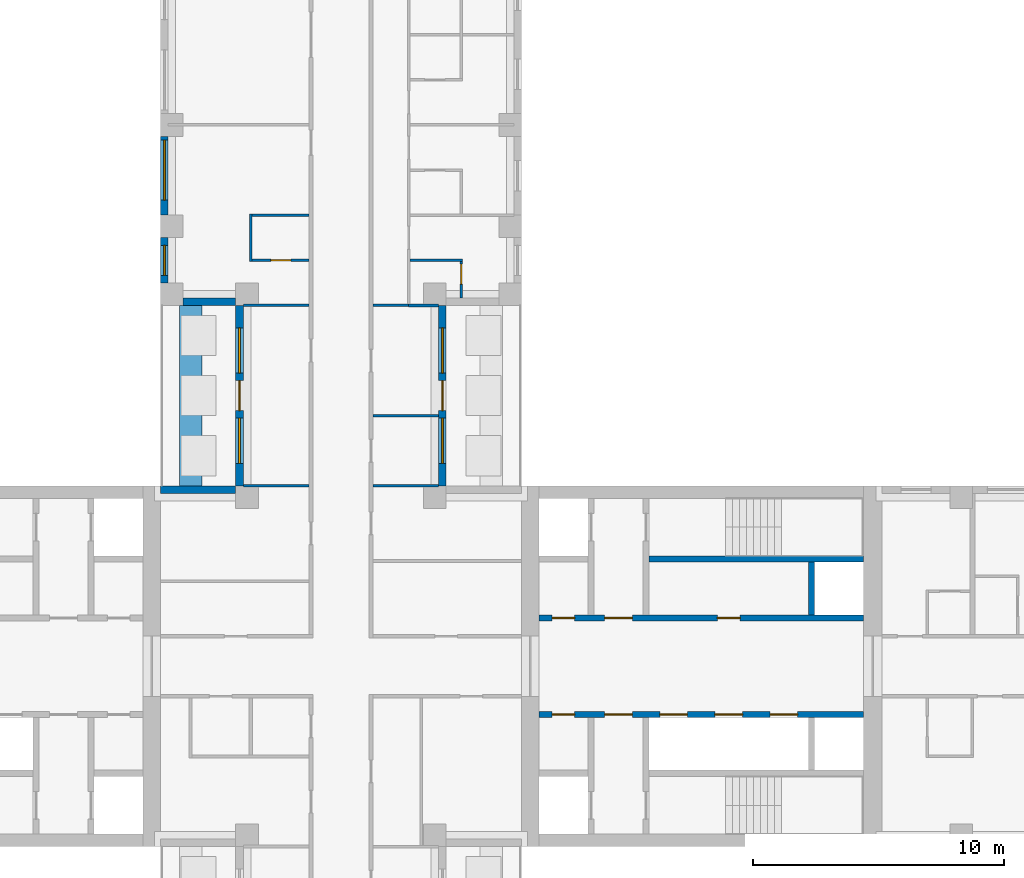
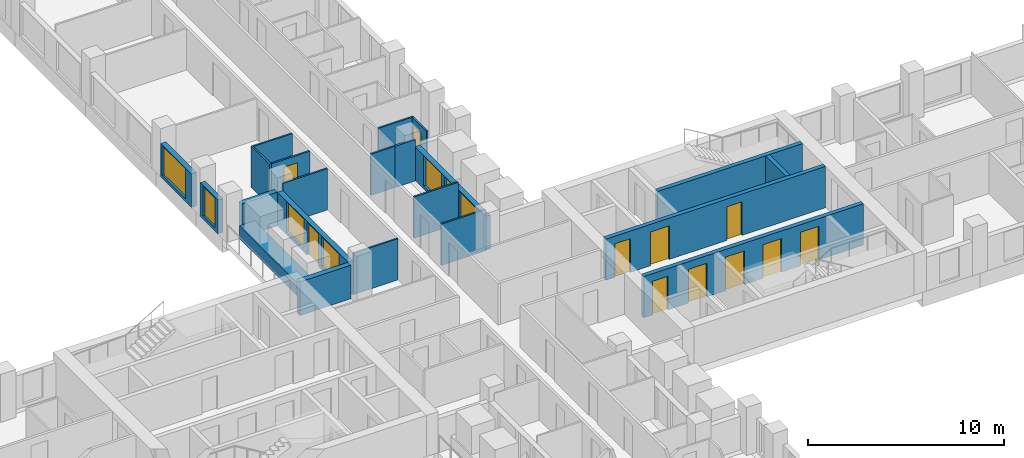
# One storey, part 8 of 15: 22 walls, 12 doors, 6 windows, 18 openings.
"""IFC4 building model written with IfcOpenShell, lengths in metres."""

from ifc_helpers import new_model, si_unit, direction, frame, frame_2d, origin, place, context, subcontext, project, spatial, rectangle, extrude, material, layer, layer_set, type_object, element, fill, save


model = new_model("IFC4")

# Units and contexts
model_context = context("Model", 3, precision=1e-05, world=origin(), true_north=direction((0.0, 1.0)))
body_context = subcontext(model_context, "Body", "Model", "MODEL_VIEW")
ifc_project = project(units=[si_unit("LENGTHUNIT", "METRE"), si_unit("AREAUNIT", "SQUARE_METRE"), si_unit("VOLUMEUNIT", "CUBIC_METRE"), si_unit("PLANEANGLEUNIT", "RADIAN"), si_unit("MASSUNIT", "GRAM", prefix="KILO")], contexts=[model_context])

# Site, building, storey
site_placement = place(None, origin())
site = spatial("IfcSite", under=ifc_project, at=site_placement, CompositionType="ELEMENT")
building_placement = place(site_placement, origin())
building = spatial("IfcBuilding", under=site, at=building_placement, Name="Fustian Cross Tower", CompositionType="ELEMENT")
storey_placement = place(building_placement, frame((0.0, 0.0, 38.699951171875)))
storey = spatial("IfcBuildingStorey", under=building, at=storey_placement, Name="L11", CompositionType="ELEMENT", Elevation=38.699951171875)

# Wall, openings, doors
ifc_material_1 = material(Name="Concrete C50/60", Category="concrete")
ifc_layer_1 = layer(ifc_material_1, 0.25)
ifc_layer_set_1 = layer_set([ifc_layer_1], Name="Concrete C50/60")
wall_type_1 = type_object("IfcWallType", Name="CORE LOBBY WALL 250 C50/60", PredefinedType="SHEAR", material=ifc_layer_set_1)
wall_1_placement = place(storey_placement, frame((7.89990234375, 1.925048828125, 0.0), z_axis=(0.0, 0.0, 1.0), x_axis=(1.0, 0.0, 0.0)))
wall_1 = element("IfcWall", 1, at=wall_1_placement, inside=storey, type_object=wall_type_1, Name="Core lobby wall", PredefinedType="SHEAR", context=body_context, shape_type="SweptSolid", body=[
    extrude(rectangle(XDim=12.9501953125, YDim=0.25, at=frame_2d((6.47509765625, 0.0))), origin(), (0.0, 0.0, 1.0), 2.574951171875),
])
opening_1_placement = place(wall_1_placement, frame((0.52490234375, 0.0, 0.0)))
opening_1 = element("IfcOpeningElement", 2, at=opening_1_placement, cuts=wall_1, Name="Opening CD-04-08", PredefinedType="OPENING", context=body_context, shape_type="SweptSolid", body=[
    extrude(rectangle(XDim=0.89990234375, YDim=2.10009765625, at=frame_2d((0.449951171875, 1.050048828125))), frame((0.0, 0.135009765625, 0.0), z_axis=(0.0, -1.0, 0.0), x_axis=(1.0, 0.0, 0.0)), (0.0, 0.0, 1.0), 0.27001953125),
])
opening_2_placement = place(wall_1_placement, frame((2.625, 0.0, 0.0)))
opening_2 = element("IfcOpeningElement", 3, at=opening_2_placement, cuts=wall_1, Name="Opening CD-04-10", PredefinedType="OPENING", context=body_context, shape_type="SweptSolid", body=[
    extrude(rectangle(XDim=1.10009765625, YDim=2.10009765625, at=frame_2d((0.550048828125, 1.050048828125))), frame((0.0, 0.135009765625, 0.0), z_axis=(0.0, -1.0, 0.0), x_axis=(1.0, 0.0, 0.0)), (0.0, 0.0, 1.0), 0.27001953125),
])
opening_3_placement = place(wall_1_placement, frame((7.125, 0.0, 0.0)))
opening_3 = element("IfcOpeningElement", 4, at=opening_3_placement, cuts=wall_1, Name="Opening CD-04-14", PredefinedType="OPENING", context=body_context, shape_type="SweptSolid", body=[
    extrude(rectangle(XDim=0.89990234375, YDim=2.10009765625, at=frame_2d((0.449951171875, 1.050048828125))), frame((0.0, 0.135009765625, 0.0), z_axis=(0.0, -1.0, 0.0), x_axis=(1.0, 0.0, 0.0)), (0.0, 0.0, 1.0), 0.27001953125),
])
ifc_material_2 = material(Name="Steel", Category="steel")
door_type_1 = type_object("IfcDoorType", Name="FIRE DOOR FD30S 900X2100", OperationType="SINGLE_SWING_LEFT", PredefinedType="DOOR", material=ifc_material_2)
door_1_placement = place(opening_3_placement, origin())
door_1 = element("IfcDoor", 5, at=door_1_placement, inside=storey, type_object=door_type_1, Name="Core door CD-04-14", OperationType="SINGLE_SWING_LEFT", OverallHeight=2.10009765625, OverallWidth=0.89990234375, PredefinedType="DOOR", context=body_context, shape_type="SweptSolid", body=[
    extrude(rectangle(XDim=0.89990234375, YDim=2.10009765625, at=frame_2d((0.449951171875, 1.050048828125))), frame((0.0, 0.02490234375, 0.0), z_axis=(0.0, -1.0, 0.0), x_axis=(1.0, 0.0, 0.0)), (0.0, 0.0, 1.0), 0.050048828125),
])
fill(opening_3, door_1)
ifc_material_3 = material(Name="Steel", Category="steel")
door_type_2 = type_object("IfcDoorType", Name="FIRE DOOR FD60S 1100X2100", OperationType="SINGLE_SWING_LEFT", PredefinedType="DOOR", material=ifc_material_3)
door_2_placement = place(opening_2_placement, frame((1.10009765625, 0.0, 0.0), z_axis=(0.0, 0.0, 1.0), x_axis=(-1.0, 0.0, 0.0)))
door_2 = element("IfcDoor", 6, at=door_2_placement, inside=storey, type_object=door_type_2, Name="Core door CD-04-10", OperationType="SINGLE_SWING_RIGHT", OverallHeight=2.10009765625, OverallWidth=1.10009765625, PredefinedType="DOOR", context=body_context, shape_type="SweptSolid", body=[
    extrude(rectangle(XDim=1.10009765625, YDim=2.10009765625, at=frame_2d((0.550048828125, 1.050048828125))), frame((0.0, 0.02490234375, 0.0), z_axis=(0.0, -1.0, 0.0), x_axis=(1.0, 0.0, 0.0)), (0.0, 0.0, 1.0), 0.050048828125),
])
fill(opening_2, door_2)
ifc_material_4 = material(Name="Steel", Category="steel")
door_type_3 = type_object("IfcDoorType", Name="FIRE DOOR FD60S 900X2100", OperationType="SINGLE_SWING_LEFT", PredefinedType="DOOR", material=ifc_material_4)
door_3_placement = place(opening_1_placement, origin())
door_3 = element("IfcDoor", 7, at=door_3_placement, inside=storey, type_object=door_type_3, Name="Core door CD-04-08", OperationType="SINGLE_SWING_LEFT", OverallHeight=2.10009765625, OverallWidth=0.89990234375, PredefinedType="DOOR", context=body_context, shape_type="SweptSolid", body=[
    extrude(rectangle(XDim=0.89990234375, YDim=2.10009765625, at=frame_2d((0.449951171875, 1.050048828125))), frame((0.0, 0.02490234375, 0.0), z_axis=(0.0, -1.0, 0.0), x_axis=(1.0, 0.0, 0.0)), (0.0, 0.0, 1.0), 0.050048828125),
])
fill(opening_1, door_3)

wall_2_placement = place(storey_placement, frame((7.89990234375, -1.925048828125, 0.0), z_axis=(0.0, 0.0, 1.0), x_axis=(1.0, 0.0, 0.0)))
wall_2 = element("IfcWall", 8, at=wall_2_placement, inside=storey, type_object=wall_type_1, Name="Core lobby wall", PredefinedType="SHEAR", context=body_context, shape_type="SweptSolid", body=[
    extrude(rectangle(XDim=12.9501953125, YDim=0.25, at=frame_2d((6.47509765625, 0.0))), origin(), (0.0, 0.0, 1.0), 2.574951171875),
])
opening_4_placement = place(wall_2_placement, frame((4.824951171875, 0.0, 0.0)))
opening_4 = element("IfcOpeningElement", 9, at=opening_4_placement, cuts=wall_2, Name="Opening LD", PredefinedType="OPENING", context=body_context, shape_type="SweptSolid", body=[
    extrude(rectangle(XDim=1.10009765625, YDim=2.10009765625, at=frame_2d((0.550048828125, 1.050048828125))), frame((0.0, 0.135009765625, 0.0), z_axis=(0.0, -1.0, 0.0), x_axis=(1.0, 0.0, 0.0)), (0.0, 0.0, 1.0), 0.27001953125),
])
opening_5_placement = place(wall_2_placement, frame((7.02490234375, 0.0, 0.0)))
opening_5 = element("IfcOpeningElement", 10, at=opening_5_placement, cuts=wall_2, Name="Opening LD", PredefinedType="OPENING", context=body_context, shape_type="SweptSolid", body=[
    extrude(rectangle(XDim=1.10009765625, YDim=2.10009765625, at=frame_2d((0.550048828125, 1.050048828125))), frame((0.0, 0.135009765625, 0.0), z_axis=(0.0, -1.0, 0.0), x_axis=(1.0, 0.0, 0.0)), (0.0, 0.0, 1.0), 0.27001953125),
])
opening_6_placement = place(wall_2_placement, frame((9.22509765625, 0.0, 0.0)))
opening_6 = element("IfcOpeningElement", 11, at=opening_6_placement, cuts=wall_2, Name="Opening LD", PredefinedType="OPENING", context=body_context, shape_type="SweptSolid", body=[
    extrude(rectangle(XDim=1.10009765625, YDim=2.10009765625, at=frame_2d((0.550048828125, 1.050048828125))), frame((0.0, 0.135009765625, 0.0), z_axis=(0.0, -1.0, 0.0), x_axis=(1.0, 0.0, 0.0)), (0.0, 0.0, 1.0), 0.27001953125),
])
opening_7_placement = place(wall_2_placement, frame((0.52490234375, 0.0, 0.0)))
opening_7 = element("IfcOpeningElement", 12, at=opening_7_placement, cuts=wall_2, Name="Opening CD-04-09", PredefinedType="OPENING", context=body_context, shape_type="SweptSolid", body=[
    extrude(rectangle(XDim=0.89990234375, YDim=2.10009765625, at=frame_2d((0.449951171875, 1.050048828125))), frame((0.0, 0.135009765625, 0.0), z_axis=(0.0, -1.0, 0.0), x_axis=(1.0, 0.0, 0.0)), (0.0, 0.0, 1.0), 0.27001953125),
])
opening_8_placement = place(wall_2_placement, frame((2.625, 0.0, 0.0)))
opening_8 = element("IfcOpeningElement", 13, at=opening_8_placement, cuts=wall_2, Name="Opening CD-04-11", PredefinedType="OPENING", context=body_context, shape_type="SweptSolid", body=[
    extrude(rectangle(XDim=1.10009765625, YDim=2.10009765625, at=frame_2d((0.550048828125, 1.050048828125))), frame((0.0, 0.135009765625, 0.0), z_axis=(0.0, -1.0, 0.0), x_axis=(1.0, 0.0, 0.0)), (0.0, 0.0, 1.0), 0.27001953125),
])
ifc_material_5 = material(Name="Steel", Category="steel")
door_type_4 = type_object("IfcDoorType", Name="FIRE DOOR FD30S 1100X2100", OperationType="SINGLE_SWING_LEFT", PredefinedType="DOOR", material=ifc_material_5)
door_4_placement = place(opening_8_placement, frame((1.10009765625, 0.0, 0.0), z_axis=(0.0, 0.0, 1.0), x_axis=(-1.0, 0.0, 0.0)))
door_4 = element("IfcDoor", 14, at=door_4_placement, inside=storey, type_object=door_type_4, Name="Core door CD-04-11", OperationType="SINGLE_SWING_RIGHT", OverallHeight=2.10009765625, OverallWidth=1.10009765625, PredefinedType="DOOR", context=body_context, shape_type="SweptSolid", body=[
    extrude(rectangle(XDim=1.10009765625, YDim=2.10009765625, at=frame_2d((0.550048828125, 1.050048828125))), frame((0.0, 0.02490234375, 0.0), z_axis=(0.0, -1.0, 0.0), x_axis=(1.0, 0.0, 0.0)), (0.0, 0.0, 1.0), 0.050048828125),
])
fill(opening_8, door_4)
door_5_placement = place(opening_7_placement, frame((0.89990234375, 0.0, 0.0), z_axis=(0.0, 0.0, 1.0), x_axis=(-1.0, 0.0, 0.0)))
door_5 = element("IfcDoor", 15, at=door_5_placement, inside=storey, type_object=door_type_1, Name="Core door CD-04-09", OperationType="SINGLE_SWING_RIGHT", OverallHeight=2.10009765625, OverallWidth=0.89990234375, PredefinedType="DOOR", context=body_context, shape_type="SweptSolid", body=[
    extrude(rectangle(XDim=0.89990234375, YDim=2.10009765625, at=frame_2d((0.449951171875, 1.050048828125))), frame((0.0, 0.02490234375, 0.0), z_axis=(0.0, -1.0, 0.0), x_axis=(1.0, 0.0, 0.0)), (0.0, 0.0, 1.0), 0.050048828125),
])
fill(opening_7, door_5)
ifc_material_6 = material(Name="Stainless steel", Category="steel")
door_type_5 = type_object("IfcDoorType", Name="LIFT LANDING DOOR 1100X2100", OperationType="SLIDING_TO_LEFT", PredefinedType="DOOR", material=ifc_material_6)
door_6_placement = place(opening_4_placement, origin())
door_6 = element("IfcDoor", 16, at=door_6_placement, inside=storey, type_object=door_type_5, Name="Landing door LR1", OperationType="SLIDING_TO_LEFT", OverallHeight=2.10009765625, OverallWidth=1.10009765625, PredefinedType="DOOR", context=body_context, shape_type="SweptSolid", body=[
    extrude(rectangle(XDim=1.10009765625, YDim=2.10009765625, at=frame_2d((0.550048828125, 1.050048828125))), frame((0.0, 0.02490234375, 0.0), z_axis=(0.0, -1.0, 0.0), x_axis=(1.0, 0.0, 0.0)), (0.0, 0.0, 1.0), 0.050048828125),
])
fill(opening_4, door_6)
door_7_placement = place(opening_5_placement, origin())
door_7 = element("IfcDoor", 17, at=door_7_placement, inside=storey, type_object=door_type_5, Name="Landing door LR2", OperationType="SLIDING_TO_LEFT", OverallHeight=2.10009765625, OverallWidth=1.10009765625, PredefinedType="DOOR", context=body_context, shape_type="SweptSolid", body=[
    extrude(rectangle(XDim=1.10009765625, YDim=2.10009765625, at=frame_2d((0.550048828125, 1.050048828125))), frame((0.0, 0.02490234375, 0.0), z_axis=(0.0, -1.0, 0.0), x_axis=(1.0, 0.0, 0.0)), (0.0, 0.0, 1.0), 0.050048828125),
])
fill(opening_5, door_7)
door_8_placement = place(opening_6_placement, origin())
door_8 = element("IfcDoor", 18, at=door_8_placement, inside=storey, type_object=door_type_5, Name="Landing door LR3", OperationType="SLIDING_TO_LEFT", OverallHeight=2.10009765625, OverallWidth=1.10009765625, PredefinedType="DOOR", context=body_context, shape_type="SweptSolid", body=[
    extrude(rectangle(XDim=1.10009765625, YDim=2.10009765625, at=frame_2d((0.550048828125, 1.050048828125))), frame((0.0, 0.02490234375, 0.0), z_axis=(0.0, -1.0, 0.0), x_axis=(1.0, 0.0, 0.0)), (0.0, 0.0, 1.0), 0.050048828125),
])
fill(opening_6, door_8)

# Walls
ifc_material_7 = material(Name="Concrete C50/60", Category="concrete")
ifc_layer_2 = layer(ifc_material_7, 0.25)
ifc_layer_set_2 = layer_set([ifc_layer_2], Name="Concrete C50/60")
wall_type_2 = type_object("IfcWallType", Name="CORE SHAFT WALL 250 C50/60", PredefinedType="SHEAR", material=ifc_layer_set_2)
wall_3_placement = place(storey_placement, frame((12.300048828125, 4.27490234375, 0.0), z_axis=(0.0, 0.0, 1.0), x_axis=(1.0, 0.0, 0.0)))
element("IfcWall", 19, at=wall_3_placement, inside=storey, type_object=wall_type_2, Name="Core shaft wall", PredefinedType="SHEAR", context=body_context, shape_type="SweptSolid", body=[
    extrude(rectangle(XDim=8.550048828125, YDim=0.25, at=frame_2d((4.27490234375, 0.0))), origin(), (0.0, 0.0, 1.0), 2.574951171875),
])
ifc_material_8 = material(Name="Plasterboard on steel stud", Category="steel")
ifc_layer_3 = layer(ifc_material_8, 0.10009765625)
ifc_layer_set_3 = layer_set([ifc_layer_3], Name="Plasterboard on steel stud")
wall_type_3 = type_object("IfcWallType", Name="PARTITION 100 STUD", PredefinedType="PARTITIONING", material=ifc_layer_set_3)
for number, where, z_axis, x_axis, name in (
    (20, (-3.89990234375, 7.199951171875, 0.0), (0.0, 0.0, 1.0), (1.0, 0.0, 0.0), "Partition 27"),
    (21, (-3.89990234375, 14.39990234375, 0.0), (0.0, 0.0, 1.0), (1.0, 0.0, 0.0), "Partition 28"),
):
    element("IfcWall", number, at=place(storey_placement, frame(where, z_axis=z_axis, x_axis=x_axis)), inside=storey, type_object=wall_type_3, Name=name, PredefinedType="PARTITIONING", context=body_context, shape_type="SweptSolid", body=[
        extrude(rectangle(XDim=2.625, YDim=0.10009765625, at=frame_2d((1.3125, 0.0))), origin(), (0.0, 0.0, 1.0), 2.574951171875),
    ])
wall_4_placement = place(storey_placement, frame((-3.60009765625, 16.14990234375, 0.0), z_axis=(0.0, 0.0, 1.0), x_axis=(0.0, 1.0, 0.0)))
element("IfcWall", 22, at=wall_4_placement, inside=storey, type_object=wall_type_3, Name="Partition 33", PredefinedType="PARTITIONING", context=body_context, shape_type="SweptSolid", body=[
    extrude(rectangle(XDim=1.900146484375, YDim=0.10009765625, at=frame_2d((0.9501953125, 0.0))), origin(), (0.0, 0.0, 1.0), 2.574951171875),
])

# Wall, opening, door
wall_5_placement = place(storey_placement, frame((-3.550048828125, 16.199951171875, 0.0), z_axis=(0.0, 0.0, 1.0), x_axis=(1.0, 0.0, 0.0)))
wall_5 = element("IfcWall", 23, at=wall_5_placement, inside=storey, type_object=wall_type_3, Name="Partition 34", PredefinedType="PARTITIONING", context=body_context, shape_type="SweptSolid", body=[
    extrude(rectangle(XDim=2.275146484375, YDim=0.10009765625, at=frame_2d((1.1376953125, 0.0))), origin(), (0.0, 0.0, 1.0), 2.574951171875),
])
opening_9_placement = place(wall_5_placement, frame((0.75, 0.0, 0.0)))
opening_9 = element("IfcOpeningElement", 24, at=opening_9_placement, cuts=wall_5, Name="Opening D07021", PredefinedType="OPENING", context=body_context, shape_type="SweptSolid", body=[
    extrude(rectangle(XDim=0.800048828125, YDim=2.10009765625, at=frame_2d((0.39990234375, 1.050048828125))), frame((0.0, 0.06005859375, 0.0), z_axis=(0.0, -1.0, 0.0), x_axis=(1.0, 0.0, 0.0)), (0.0, 0.0, 1.0), 0.1201171875),
])
ifc_material_9 = material(Name="Painted timber", Category="wood")
door_type_6 = type_object("IfcDoorType", Name="SWING DOOR 800", OperationType="SINGLE_SWING_LEFT", PredefinedType="DOOR", material=ifc_material_9)
door_9_placement = place(opening_9_placement, origin())
door_9 = element("IfcDoor", 25, at=door_9_placement, inside=storey, type_object=door_type_6, Name="Door D07021", OperationType="SINGLE_SWING_LEFT", OverallHeight=2.10009765625, OverallWidth=0.800048828125, PredefinedType="DOOR", context=body_context, shape_type="SweptSolid", body=[
    extrude(rectangle(XDim=0.800048828125, YDim=2.10009765625, at=frame_2d((0.39990234375, 1.050048828125))), frame((0.0, 0.02490234375, 0.0), z_axis=(0.0, -1.0, 0.0), x_axis=(1.0, 0.0, 0.0)), (0.0, 0.0, 1.0), 0.050048828125),
])
fill(opening_9, door_9)

# Walls
wall_6_placement = place(storey_placement, frame((-3.550048828125, 18.0, 0.0), z_axis=(0.0, 0.0, 1.0), x_axis=(1.0, 0.0, 0.0)))
element("IfcWall", 26, at=wall_6_placement, inside=storey, type_object=wall_type_3, Name="Partition 35", PredefinedType="PARTITIONING", context=body_context, shape_type="SweptSolid", body=[
    extrude(rectangle(XDim=2.275146484375, YDim=0.10009765625, at=frame_2d((1.1376953125, 0.0))), origin(), (0.0, 0.0, 1.0), 2.574951171875),
])
for number, where, z_axis, x_axis, name in (
    (27, (1.27490234375, 7.199951171875, 0.0), (0.0, 0.0, 1.0), (1.0, 0.0, 0.0), "Partition 55"),
    (28, (1.27490234375, 10.0, 0.0), (0.0, 0.0, 1.0), (1.0, 0.0, 0.0), "Partition 56"),
):
    element("IfcWall", number, at=place(storey_placement, frame(where, z_axis=z_axis, x_axis=x_axis)), inside=storey, type_object=wall_type_3, Name=name, PredefinedType="PARTITIONING", context=body_context, shape_type="SweptSolid", body=[
        extrude(rectangle(XDim=2.625, YDim=0.10009765625, at=frame_2d((1.3125, 0.0))), origin(), (0.0, 0.0, 1.0), 2.574951171875),
    ])
wall_7_placement = place(storey_placement, frame((1.27490234375, 14.39990234375, 0.0), z_axis=(0.0, 0.0, 1.0), x_axis=(1.0, 0.0, 0.0)))
element("IfcWall", 29, at=wall_7_placement, inside=storey, type_object=wall_type_3, Name="Partition 57", PredefinedType="PARTITIONING", context=body_context, shape_type="SweptSolid", body=[
    extrude(rectangle(XDim=1.425048828125, YDim=0.10009765625, at=frame_2d((0.71240234375, 0.0))), origin(), (0.0, 0.0, 1.0), 2.574951171875),
])
wall_8_placement = place(storey_placement, frame((2.75, 16.199951171875, 0.0), z_axis=(0.0, 0.0, 1.0), x_axis=(1.0, 0.0, 0.0)))
element("IfcWall", 30, at=wall_8_placement, inside=storey, type_object=wall_type_3, Name="Partition 61", PredefinedType="PARTITIONING", context=body_context, shape_type="SweptSolid", body=[
    extrude(rectangle(XDim=2.10009765625, YDim=0.10009765625, at=frame_2d((1.050048828125, 0.0))), origin(), (0.0, 0.0, 1.0), 2.574951171875),
])

# Wall, opening, door
wall_9_placement = place(storey_placement, frame((4.800048828125, 14.699951171875, 0.0), z_axis=(0.0, 0.0, 1.0), x_axis=(0.0, 1.0, 0.0)))
wall_9 = element("IfcWall", 31, at=wall_9_placement, inside=storey, type_object=wall_type_3, Name="Partition 73", PredefinedType="PARTITIONING", context=body_context, shape_type="SweptSolid", body=[
    extrude(rectangle(XDim=1.449951171875, YDim=0.10009765625, at=frame_2d((0.72509765625, 0.0))), origin(), (0.0, 0.0, 1.0), 2.574951171875),
])
opening_10_placement = place(wall_9_placement, frame((0.550048828125, 0.0, 0.0)))
opening_10 = element("IfcOpeningElement", 32, at=opening_10_placement, cuts=wall_9, Name="Opening D07036", PredefinedType="OPENING", context=body_context, shape_type="SweptSolid", body=[
    extrude(rectangle(XDim=0.800048828125, YDim=2.10009765625, at=frame_2d((0.39990234375, 1.050048828125))), frame((0.0, 0.06005859375, 0.0), z_axis=(0.0, -1.0, 0.0), x_axis=(1.0, 0.0, 0.0)), (0.0, 0.0, 1.0), 0.1201171875),
])
door_10_placement = place(opening_10_placement, frame((0.800048828125, 0.0, 0.0), z_axis=(0.0, 0.0, 1.0), x_axis=(-1.0, 0.0, 0.0)))
door_10 = element("IfcDoor", 33, at=door_10_placement, inside=storey, type_object=door_type_6, Name="Door D07036", OperationType="SINGLE_SWING_RIGHT", OverallHeight=2.10009765625, OverallWidth=0.800048828125, PredefinedType="DOOR", context=body_context, shape_type="SweptSolid", body=[
    extrude(rectangle(XDim=0.800048828125, YDim=2.10009765625, at=frame_2d((0.39990234375, 1.050048828125))), frame((0.0, 0.02490234375, 0.0), z_axis=(0.0, -1.0, 0.0), x_axis=(1.0, 0.0, 0.0)), (0.0, 0.0, 1.0), 0.050048828125),
])
fill(opening_10, door_10)

# Walls
ifc_material_10 = material(Name="Concrete C40/50", Category="concrete")
ifc_layer_4 = layer(ifc_material_10, 0.89990234375)
ifc_layer_set_4 = layer_set([ifc_layer_4], Name="Concrete C40/50")
wall_type_4 = type_object("IfcWallType", Name="PK1 PLANTER 900", PredefinedType="PARAPET", material=ifc_layer_set_4)
wall_10_placement = place(storey_placement, frame((-6.0, 7.199951171875, 0.0), z_axis=(0.0, 0.0, 1.0), x_axis=(0.0, 1.0, 0.0)))
element("IfcWall", 34, at=wall_10_placement, inside=storey, type_object=wall_type_4, Name="PLANTER", PredefinedType="PARAPET", context=body_context, shape_type="SweptSolid", body=[
    extrude(rectangle(XDim=7.199951171875, YDim=0.89990234375, at=frame_2d((3.60009765625, 0.0))), origin(), (0.0, 0.0, 1.0), 0.800048828125),
])
ifc_material_11 = material(Name="Concrete C40/50", Category="concrete")
ifc_layer_5 = layer(ifc_material_11, 0.25)
ifc_layer_set_5 = layer_set([ifc_layer_5], Name="Concrete C40/50")
wall_type_5 = type_object("IfcWallType", Name="SHAFT PARTITION WALL 250 C40/50", PredefinedType="PARTITIONING", material=ifc_layer_set_5)
wall_11_placement = place(storey_placement, frame((18.77490234375, 2.050048828125, 0.0), z_axis=(0.0, 0.0, 1.0), x_axis=(0.0, 1.0, 0.0)))
element("IfcWall", 35, at=wall_11_placement, inside=storey, type_object=wall_type_5, Name="Core shaft wall", PredefinedType="PARTITIONING", context=body_context, shape_type="SweptSolid", body=[
    extrude(rectangle(XDim=2.099853515625, YDim=0.25, at=frame_2d((1.0498046875, 0.0))), origin(), (0.0, 0.0, 1.0), 2.574951171875),
])
ifc_material_12 = material(Name="Plasterboard on steel stud", Category="steel")
ifc_layer_6 = layer(ifc_material_12, 0.125)
ifc_layer_set_6 = layer_set([ifc_layer_6], Name="Plasterboard on steel stud")
wall_type_6 = type_object("IfcWallType", Name="WET WALL 125 STUD", PredefinedType="PARTITIONING", material=ifc_layer_set_6)
wall_12_placement = place(storey_placement, frame((2.699951171875, 14.39990234375, 0.0), z_axis=(0.0, 0.0, 1.0), x_axis=(1.0, 0.0, 0.0)))
element("IfcWall", 36, at=wall_12_placement, inside=storey, type_object=wall_type_6, Name="Partition 60", PredefinedType="PARTITIONING", context=body_context, shape_type="SweptSolid", body=[
    extrude(rectangle(XDim=1.199951171875, YDim=0.125, at=frame_2d((0.60009765625, 0.0))), origin(), (0.0, 0.0, 1.0), 2.574951171875),
])

# Wall, openings, door, windows
ifc_material_13 = material(Name="Dark aluminium cladding on insulated backing wall", Category="aluminium")
ifc_layer_7 = layer(ifc_material_13, 0.300048828125)
ifc_layer_set_7 = layer_set([ifc_layer_7], Name="Dark aluminium cladding on insulated backing wall")
wall_type_7 = type_object("IfcWallType", Name="XW1 EXTERNAL WALL 300", PredefinedType="SOLIDWALL", material=ifc_layer_set_7)
wall_13_placement = place(storey_placement, frame((4.050048828125, 7.199951171875, 0.0), z_axis=(0.0, 0.0, 1.0), x_axis=(0.0, 1.0, 0.0)))
wall_13 = element("IfcWall", 37, at=wall_13_placement, inside=storey, type_object=wall_type_7, Name="External wall", PredefinedType="SOLIDWALL", context=body_context, shape_type="SweptSolid", body=[
    extrude(rectangle(XDim=7.199951171875, YDim=0.300048828125, at=frame_2d((3.60009765625, 0.0))), origin(), (0.0, 0.0, 1.0), 2.10009765625),
])
opening_11_placement = place(wall_13_placement, frame((3.0, 0.0, 0.0)))
opening_11 = element("IfcOpeningElement", 38, at=opening_11_placement, cuts=wall_13, Name="Opening XD1", PredefinedType="OPENING", context=body_context, shape_type="SweptSolid", body=[
    extrude(rectangle(XDim=1.199951171875, YDim=2.050048828125, at=frame_2d((0.60009765625, 1.02490234375))), frame((0.0, 0.159912109375, 0.0), z_axis=(0.0, -1.0, 0.0), x_axis=(1.0, 0.0, 0.0)), (0.0, 0.0, 1.0), 0.320068359375),
])
opening_12_placement = place(wall_13_placement, frame((0.89990234375, 0.0, 0.199951171875)))
opening_12 = element("IfcOpeningElement", 39, at=opening_12_placement, cuts=wall_13, Name="Opening WN2", PredefinedType="OPENING", context=body_context, shape_type="SweptSolid", body=[
    extrude(rectangle(XDim=1.800048828125, YDim=1.85009765625, at=frame_2d((0.89990234375, 0.925048828125))), frame((0.0, 0.159912109375, 0.0), z_axis=(0.0, -1.0, 0.0), x_axis=(1.0, 0.0, 0.0)), (0.0, 0.0, 1.0), 0.320068359375),
])
opening_13_placement = place(wall_13_placement, frame((4.5, 0.0, 0.199951171875)))
opening_13 = element("IfcOpeningElement", 40, at=opening_13_placement, cuts=wall_13, Name="Opening WN2", PredefinedType="OPENING", context=body_context, shape_type="SweptSolid", body=[
    extrude(rectangle(XDim=1.800048828125, YDim=1.85009765625, at=frame_2d((0.89990234375, 0.925048828125))), frame((0.0, 0.159912109375, 0.0), z_axis=(0.0, -1.0, 0.0), x_axis=(1.0, 0.0, 0.0)), (0.0, 0.0, 1.0), 0.320068359375),
])
ifc_material_14 = material(Name="Dark anodised aluminium and double glazing", Category="aluminium")
door_type_7 = type_object("IfcDoorType", Name="ED1 BALCONY DOOR 1200X2050", OperationType="SINGLE_SWING_LEFT", PredefinedType="DOOR", material=ifc_material_14)
door_11_placement = place(opening_11_placement, origin())
door_11 = element("IfcDoor", 41, at=door_11_placement, inside=storey, type_object=door_type_7, Name="Balcony door", OperationType="SINGLE_SWING_LEFT", OverallHeight=2.050048828125, OverallWidth=1.199951171875, PredefinedType="DOOR", context=body_context, shape_type="SweptSolid", body=[
    extrude(rectangle(XDim=1.199951171875, YDim=2.050048828125, at=frame_2d((0.60009765625, 1.02490234375))), frame((0.0, 0.02490234375, 0.0), z_axis=(0.0, -1.0, 0.0), x_axis=(1.0, 0.0, 0.0)), (0.0, 0.0, 1.0), 0.050048828125),
])
fill(opening_11, door_11)
ifc_material_15 = material(Name="Dark anodised aluminium and double glazing", Category="aluminium")
window_type_1 = type_object("IfcWindowType", Name="WN2 WINDOW 1800X1850", PartitioningType="SINGLE_PANEL", PredefinedType="WINDOW", material=ifc_material_15)
window_1_placement = place(opening_12_placement, origin())
window_1 = element("IfcWindow", 42, at=window_1_placement, inside=storey, type_object=window_type_1, Name="Window", OverallHeight=1.85009765625, OverallWidth=1.800048828125, PartitioningType="SINGLE_PANEL", PredefinedType="WINDOW", context=body_context, shape_type="SweptSolid", body=[
    extrude(rectangle(XDim=1.800048828125, YDim=1.85009765625, at=frame_2d((0.89990234375, 0.925048828125))), frame((0.0, 0.030029296875, 0.0), z_axis=(0.0, -1.0, 0.0), x_axis=(1.0, 0.0, 0.0)), (0.0, 0.0, 1.0), 0.06005859375),
])
fill(opening_12, window_1)
window_2_placement = place(opening_13_placement, origin())
window_2 = element("IfcWindow", 43, at=window_2_placement, inside=storey, type_object=window_type_1, Name="Window", OverallHeight=1.85009765625, OverallWidth=1.800048828125, PartitioningType="SINGLE_PANEL", PredefinedType="WINDOW", context=body_context, shape_type="SweptSolid", body=[
    extrude(rectangle(XDim=1.800048828125, YDim=1.85009765625, at=frame_2d((0.89990234375, 0.925048828125))), frame((0.0, 0.030029296875, 0.0), z_axis=(0.0, -1.0, 0.0), x_axis=(1.0, 0.0, 0.0)), (0.0, 0.0, 1.0), 0.06005859375),
])
fill(opening_13, window_2)

# Wall, opening, window
wall_14_placement = place(storey_placement, frame((-7.050048828125, 21.14990234375, 0.0), z_axis=(0.0, 0.0, 1.0), x_axis=(0.0, -1.0, 0.0)))
wall_14 = element("IfcWall", 44, at=wall_14_placement, inside=storey, type_object=wall_type_7, Name="External wall", PredefinedType="SOLIDWALL", context=body_context, shape_type="SweptSolid", body=[
    extrude(rectangle(XDim=3.14990234375, YDim=0.300048828125, at=frame_2d((1.574951171875, 0.0))), origin(), (0.0, 0.0, 1.0), 2.10009765625),
])
opening_14_placement = place(wall_14_placement, frame((0.14990234375, 0.0, 0.199951171875)))
opening_14 = element("IfcOpeningElement", 45, at=opening_14_placement, cuts=wall_14, Name="Opening WN1", PredefinedType="OPENING", context=body_context, shape_type="SweptSolid", body=[
    extrude(rectangle(XDim=2.39990234375, YDim=1.85009765625, at=frame_2d((1.199951171875, 0.925048828125))), frame((0.0, 0.159912109375, 0.0), z_axis=(0.0, -1.0, 0.0), x_axis=(1.0, 0.0, 0.0)), (0.0, 0.0, 1.0), 0.320068359375),
])
ifc_material_16 = material(Name="Dark anodised aluminium and double glazing", Category="aluminium")
window_type_2 = type_object("IfcWindowType", Name="WN1 WINDOW 2400X1850", PartitioningType="SINGLE_PANEL", PredefinedType="WINDOW", material=ifc_material_16)
window_3_placement = place(opening_14_placement, origin())
window_3 = element("IfcWindow", 46, at=window_3_placement, inside=storey, type_object=window_type_2, Name="Window", OverallHeight=1.85009765625, OverallWidth=2.39990234375, PartitioningType="SINGLE_PANEL", PredefinedType="WINDOW", context=body_context, shape_type="SweptSolid", body=[
    extrude(rectangle(XDim=2.39990234375, YDim=1.85009765625, at=frame_2d((1.199951171875, 0.925048828125))), frame((0.0, 0.030029296875, 0.0), z_axis=(0.0, -1.0, 0.0), x_axis=(1.0, 0.0, 0.0)), (0.0, 0.0, 1.0), 0.06005859375),
])
fill(opening_14, window_3)

wall_15_placement = place(storey_placement, frame((-7.050048828125, 17.10009765625, 0.0), z_axis=(0.0, 0.0, 1.0), x_axis=(0.0, -1.0, 0.0)))
wall_15 = element("IfcWall", 47, at=wall_15_placement, inside=storey, type_object=wall_type_7, Name="External wall", PredefinedType="SOLIDWALL", context=body_context, shape_type="SweptSolid", body=[
    extrude(rectangle(XDim=1.800048828125, YDim=0.300048828125, at=frame_2d((0.89990234375, 0.0))), origin(), (0.0, 0.0, 1.0), 2.10009765625),
])
opening_15_placement = place(wall_15_placement, frame((0.300048828125, 0.0, 0.199951171875)))
opening_15 = element("IfcOpeningElement", 48, at=opening_15_placement, cuts=wall_15, Name="Opening WN3", PredefinedType="OPENING", context=body_context, shape_type="SweptSolid", body=[
    extrude(rectangle(XDim=1.199951171875, YDim=1.85009765625, at=frame_2d((0.60009765625, 0.925048828125))), frame((0.0, 0.159912109375, 0.0), z_axis=(0.0, -1.0, 0.0), x_axis=(1.0, 0.0, 0.0)), (0.0, 0.0, 1.0), 0.320068359375),
])
ifc_material_17 = material(Name="Dark anodised aluminium and double glazing", Category="aluminium")
window_type_3 = type_object("IfcWindowType", Name="WN3 WINDOW 1200X1850", PartitioningType="SINGLE_PANEL", PredefinedType="WINDOW", material=ifc_material_17)
window_4_placement = place(opening_15_placement, origin())
window_4 = element("IfcWindow", 49, at=window_4_placement, inside=storey, type_object=window_type_3, Name="Window", OverallHeight=1.85009765625, OverallWidth=1.199951171875, PartitioningType="SINGLE_PANEL", PredefinedType="WINDOW", context=body_context, shape_type="SweptSolid", body=[
    extrude(rectangle(XDim=1.199951171875, YDim=1.85009765625, at=frame_2d((0.60009765625, 0.925048828125))), frame((0.0, 0.030029296875, 0.0), z_axis=(0.0, -1.0, 0.0), x_axis=(1.0, 0.0, 0.0)), (0.0, 0.0, 1.0), 0.06005859375),
])
fill(opening_15, window_4)

# Wall
wall_16_placement = place(storey_placement, frame((-6.300048828125, 14.550048828125, 0.0), z_axis=(0.0, 0.0, 1.0), x_axis=(1.0, 0.0, 0.0)))
element("IfcWall", 50, at=wall_16_placement, inside=storey, type_object=wall_type_7, Name="External wall", PredefinedType="SOLIDWALL", context=body_context, shape_type="SweptSolid", body=[
    extrude(rectangle(XDim=2.10009765625, YDim=0.300048828125, at=frame_2d((1.050048828125, 0.0))), origin(), (0.0, 0.0, 1.0), 2.10009765625),
])

# Wall, openings, door, windows
wall_17_placement = place(storey_placement, frame((-4.050048828125, 14.39990234375, 0.0), z_axis=(0.0, 0.0, 1.0), x_axis=(0.0, -1.0, 0.0)))
wall_17 = element("IfcWall", 51, at=wall_17_placement, inside=storey, type_object=wall_type_7, Name="External wall", PredefinedType="SOLIDWALL", context=body_context, shape_type="SweptSolid", body=[
    extrude(rectangle(XDim=7.199951171875, YDim=0.300048828125, at=frame_2d((3.60009765625, 0.0))), origin(), (0.0, 0.0, 1.0), 2.10009765625),
])
opening_16_placement = place(wall_17_placement, frame((3.0, 0.0, 0.0)))
opening_16 = element("IfcOpeningElement", 52, at=opening_16_placement, cuts=wall_17, Name="Opening XD2", PredefinedType="OPENING", context=body_context, shape_type="SweptSolid", body=[
    extrude(rectangle(XDim=1.199951171875, YDim=2.050048828125, at=frame_2d((0.60009765625, 1.02490234375))), frame((0.0, 0.159912109375, 0.0), z_axis=(0.0, -1.0, 0.0), x_axis=(1.0, 0.0, 0.0)), (0.0, 0.0, 1.0), 0.320068359375),
])
opening_17_placement = place(wall_17_placement, frame((0.89990234375, 0.0, 0.199951171875)))
opening_17 = element("IfcOpeningElement", 53, at=opening_17_placement, cuts=wall_17, Name="Opening WN2", PredefinedType="OPENING", context=body_context, shape_type="SweptSolid", body=[
    extrude(rectangle(XDim=1.800048828125, YDim=1.85009765625, at=frame_2d((0.89990234375, 0.925048828125))), frame((0.0, 0.159912109375, 0.0), z_axis=(0.0, -1.0, 0.0), x_axis=(1.0, 0.0, 0.0)), (0.0, 0.0, 1.0), 0.320068359375),
])
opening_18_placement = place(wall_17_placement, frame((4.5, 0.0, 0.199951171875)))
opening_18 = element("IfcOpeningElement", 54, at=opening_18_placement, cuts=wall_17, Name="Opening WN2", PredefinedType="OPENING", context=body_context, shape_type="SweptSolid", body=[
    extrude(rectangle(XDim=1.800048828125, YDim=1.85009765625, at=frame_2d((0.89990234375, 0.925048828125))), frame((0.0, 0.159912109375, 0.0), z_axis=(0.0, -1.0, 0.0), x_axis=(1.0, 0.0, 0.0)), (0.0, 0.0, 1.0), 0.320068359375),
])
door_12_placement = place(opening_16_placement, origin())
door_12 = element("IfcDoor", 55, at=door_12_placement, inside=storey, type_object=door_type_7, Name="Balcony door", OperationType="SINGLE_SWING_LEFT", OverallHeight=2.050048828125, OverallWidth=1.199951171875, PredefinedType="DOOR", context=body_context, shape_type="SweptSolid", body=[
    extrude(rectangle(XDim=1.199951171875, YDim=2.050048828125, at=frame_2d((0.60009765625, 1.02490234375))), frame((0.0, 0.02490234375, 0.0), z_axis=(0.0, -1.0, 0.0), x_axis=(1.0, 0.0, 0.0)), (0.0, 0.0, 1.0), 0.050048828125),
])
fill(opening_16, door_12)
window_5_placement = place(opening_17_placement, origin())
window_5 = element("IfcWindow", 56, at=window_5_placement, inside=storey, type_object=window_type_1, Name="Window", OverallHeight=1.85009765625, OverallWidth=1.800048828125, PartitioningType="SINGLE_PANEL", PredefinedType="WINDOW", context=body_context, shape_type="SweptSolid", body=[
    extrude(rectangle(XDim=1.800048828125, YDim=1.85009765625, at=frame_2d((0.89990234375, 0.925048828125))), frame((0.0, 0.030029296875, 0.0), z_axis=(0.0, -1.0, 0.0), x_axis=(1.0, 0.0, 0.0)), (0.0, 0.0, 1.0), 0.06005859375),
])
fill(opening_17, window_5)
window_6_placement = place(opening_18_placement, origin())
window_6 = element("IfcWindow", 57, at=window_6_placement, inside=storey, type_object=window_type_1, Name="Window", OverallHeight=1.85009765625, OverallWidth=1.800048828125, PartitioningType="SINGLE_PANEL", PredefinedType="WINDOW", context=body_context, shape_type="SweptSolid", body=[
    extrude(rectangle(XDim=1.800048828125, YDim=1.85009765625, at=frame_2d((0.89990234375, 0.925048828125))), frame((0.0, 0.030029296875, 0.0), z_axis=(0.0, -1.0, 0.0), x_axis=(1.0, 0.0, 0.0)), (0.0, 0.0, 1.0), 0.06005859375),
])
fill(opening_18, window_6)

# Wall
wall_18_placement = place(storey_placement, frame((-4.199951171875, 7.050048828125, 0.0), z_axis=(0.0, 0.0, 1.0), x_axis=(-1.0, 0.0, 0.0)))
element("IfcWall", 58, at=wall_18_placement, inside=storey, type_object=wall_type_7, Name="External wall", PredefinedType="SOLIDWALL", context=body_context, shape_type="SweptSolid", body=[
    extrude(rectangle(XDim=3.0, YDim=0.300048828125, at=frame_2d((1.5, 0.0))), origin(), (0.0, 0.0, 1.0), 2.10009765625),
])

save(model, "model.ifc")
